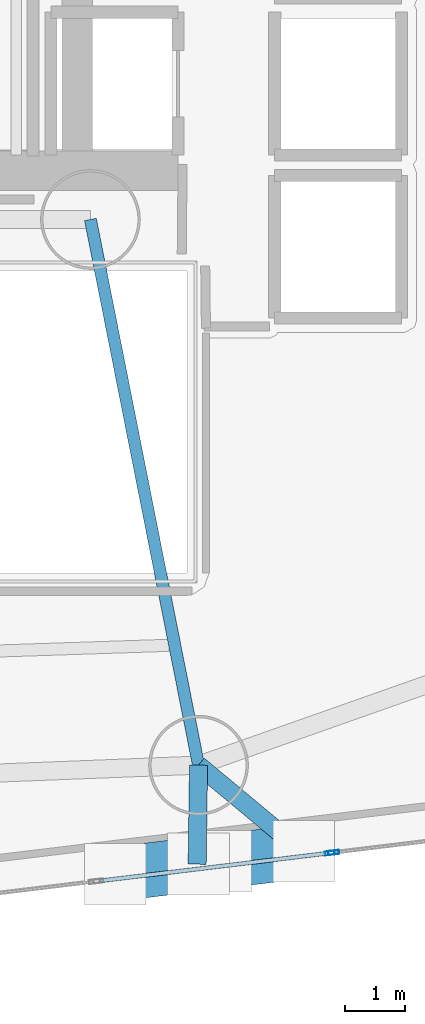
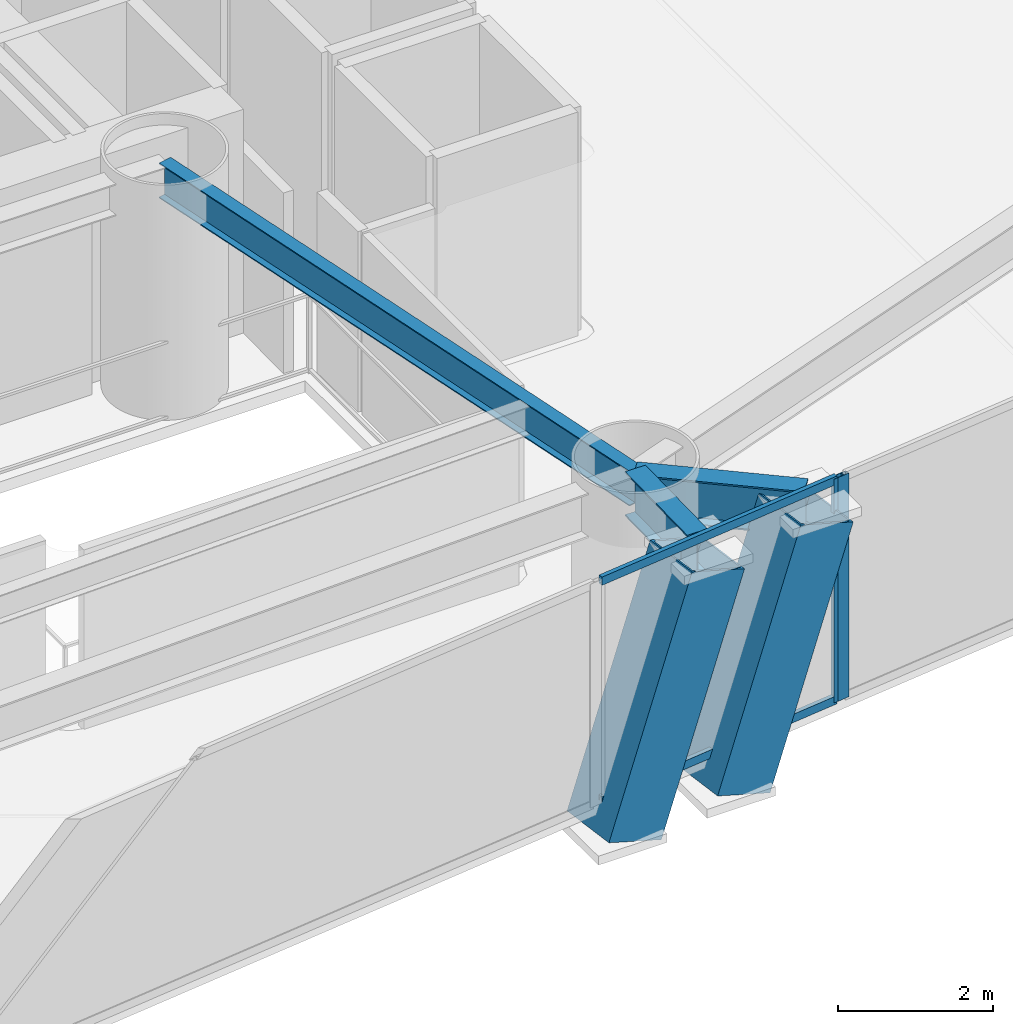
# One storey, part 6 of 24: 6 members, 3 beams, 2 elements without a shape of their own.
"""IFC4 building model written with IfcOpenShell, lengths in metres."""

from ifc_helpers import new_model, si_unit, direction, frame, origin, origin_2d, place, context, subcontext, project, spatial, hollow_rectangle, i_section, extrude, material, layer, layer_set, material_profile, profile_set, type_object, element, aggregate, save


model = new_model("IFC4")

# Units and contexts
model_context = context("Model", 3, precision=1e-05, world=origin(), true_north=direction((0.0, 1.0)))
body_context = subcontext(model_context, "Body", "Model", "MODEL_VIEW")
ifc_project = project(units=[si_unit("LENGTHUNIT", "METRE"), si_unit("AREAUNIT", "SQUARE_METRE"), si_unit("VOLUMEUNIT", "CUBIC_METRE"), si_unit("PLANEANGLEUNIT", "RADIAN"), si_unit("MASSUNIT", "GRAM", prefix="KILO")], contexts=[model_context])

# Site, building, storey
site_placement = place(None, origin())
site = spatial("IfcSite", under=ifc_project, at=site_placement, CompositionType="ELEMENT")
building_placement = place(site_placement, origin())
building = spatial("IfcBuilding", under=site, at=building_placement, Name="Qianvela Tower", CompositionType="ELEMENT")
storey_placement = place(building_placement, frame((0.0, 0.0, 71.0)))
storey = spatial("IfcBuildingStorey", under=building, at=storey_placement, Name="L17", CompositionType="ELEMENT", Elevation=71.0)

# Beams
ifc_material_1 = material(Name="Steel Q355B", Category="steel")
ifc_material_profile_1 = material_profile(ifc_material_1, i_section(OverallWidth=0.199951171875, OverallDepth=0.550048828125, WebThickness=0.010009765625, FlangeThickness=0.01611328125, at=origin_2d()), Name="HN550x200x10x16")
ifc_profile_set_1 = profile_set([ifc_material_profile_1], Name="Steel Q355B")
beam_type_1 = type_object("IfcBeamType", Name="BM-HN550-GIRD", PredefinedType="BEAM", material=ifc_profile_set_1)
beam_1_placement = place(storey_placement, frame((38.39990234375, 23.85009765625, 3.242919921875), z_axis=(0.194325825688, -0.980937038485, 0.0), x_axis=(0.980937038485, 0.194325825688, 0.0)))
element("IfcBeam", 1, at=beam_1_placement, inside=storey, type_object=beam_type_1, Name="L17 Radial Primary Floor Girder 6", PredefinedType="BEAM", context=body_context, shape_type="SweptSolid", body=[
    extrude(i_section(OverallWidth=0.199951171875, OverallDepth=0.550048828125, WebThickness=0.010009765625, FlangeThickness=0.01611328125, at=origin_2d()), origin(), (0.0, 0.0, 1.0), 9.20654296875),
])
ifc_material_2 = material(Name="Steel Q355B", Category="steel")
ifc_material_profile_2 = material_profile(ifc_material_2, i_section(OverallWidth=0.300048828125, OverallDepth=0.699951171875, WebThickness=0.012939453125, FlangeThickness=0.02392578125, at=origin_2d()), Name="HN700x300x13x24")
ifc_profile_set_2 = profile_set([ifc_material_profile_2], Name="Steel Q355B")
beam_type_2 = type_object("IfcBeamType", Name="BM-HN700-SPAND", PredefinedType="SPANDREL", material=ifc_profile_set_2)
beam_2_placement = place(storey_placement, frame((40.18896484375, 14.819091796875, 3.16796875), z_axis=(-0.013999223797, -0.999902006065, 0.0), x_axis=(0.999902006065, -0.013999223797, 0.0)))
element("IfcBeam", 2, at=beam_2_placement, inside=storey, type_object=beam_type_2, Name="L17 Mega-Brace Column Tie Bracket F3-1", PredefinedType="SPANDREL", context=body_context, shape_type="SweptSolid", body=[
    extrude(i_section(OverallWidth=0.300048828125, OverallDepth=0.699951171875, WebThickness=0.012939453125, FlangeThickness=0.02392578125, at=origin_2d()), origin(), (0.0, 0.0, 1.0), 1.639404296875),
])
beam_3_placement = place(storey_placement, frame((40.18896484375, 14.819091796875, 3.16796875), z_axis=(0.768803370836, -0.639485243764, 0.0), x_axis=(0.639485243764, 0.768803370836, 0.0)))
element("IfcBeam", 3, at=beam_3_placement, inside=storey, type_object=beam_type_2, Name="L17 Mega-Brace Column Tie Bracket F3-2", PredefinedType="SPANDREL", context=body_context, shape_type="SweptSolid", body=[
    extrude(i_section(OverallWidth=0.300048828125, OverallDepth=0.699951171875, WebThickness=0.012939453125, FlangeThickness=0.02392578125, at=origin_2d()), origin(), (0.0, 0.0, 1.0), 2.2333984375),
])

# Curtain wall, members
ifc_material_3 = material(Name="Anodised Architectural Aluminium and Insulated Spandrel Panel", Category="aluminium")
ifc_layer_1 = layer(ifc_material_3, 0.179931640625)
ifc_layer_set_1 = layer_set([ifc_layer_1], Name="Anodised Architectural Aluminium and Insulated Spandrel Panel")
curtain_wall_type_1 = type_object("IfcCurtainWallType", Name="CW-BRACEBAY", PredefinedType="USERDEFINED", material=ifc_layer_set_1)
curtain_wall_1_placement = place(storey_placement, origin())
curtain_wall_1 = element("IfcCurtainWall", 4, at=curtain_wall_1_placement, inside=storey, type_object=curtain_wall_type_1, Name="L17 CW-BRACEBAY Curtain Wall 06B", ObjectType="CURTAIN_WALL_SYSTEM", PredefinedType="USERDEFINED")
ifc_material_4 = material(Name="Anodised Architectural Aluminium 6063-T6", Category="aluminium")
ifc_material_profile_3 = material_profile(ifc_material_4, hollow_rectangle(XDim=0.06494140625, YDim=0.159912109375, WallThickness=0.0048828125, at=origin_2d()), Name="ALU-MULL-65x160")
ifc_profile_set_3 = profile_set([ifc_material_profile_3], Name="Anodised Architectural Aluminium 6063-T6")
member_type_1 = type_object("IfcMemberType", Name="CW-BRACEBAY-MULL", PredefinedType="MULLION", material=ifc_profile_set_3)
member_1_placement = place(storey_placement, frame((42.361083984375, 13.365478515625, 0.0), z_axis=(0.0, 0.0, 1.0), x_axis=(-0.120382410751, 0.992727593644, 0.0)))
member_1 = element("IfcMember", 5, at=member_1_placement, type_object=member_type_1, Name="CW-9 mullion 2", PredefinedType="MULLION", context=body_context, shape_type="SweptSolid", body=[
    extrude(hollow_rectangle(XDim=0.06494140625, YDim=0.159912109375, WallThickness=0.0048828125, at=origin_2d()), origin(), (0.0, 0.0, 1.0), 3.52001953125),
])
ifc_material_5 = material(Name="Anodised Architectural Aluminium 6063-T6", Category="aluminium")
ifc_material_profile_4 = material_profile(ifc_material_5, hollow_rectangle(XDim=0.06494140625, YDim=0.1298828125, WallThickness=0.00439453125, at=origin_2d()), Name="ALU-TRAN-65x130")
ifc_profile_set_4 = profile_set([ifc_material_profile_4], Name="Anodised Architectural Aluminium 6063-T6")
member_type_2 = type_object("IfcMemberType", Name="CW-BRACEBAY-TRAN", PredefinedType="USERDEFINED", material=ifc_profile_set_4)
member_2_placement = place(storey_placement, frame((38.56640625, 12.9052734375, 0.032470703125), z_axis=(0.992726084975, 0.120394851263, 0.0), x_axis=(-0.120394851263, 0.992726084975, 0.0)))
member_2 = element("IfcMember", 6, at=member_2_placement, type_object=member_type_2, Name="CW-9 transom 1.1", ObjectType="TRANSOM", PredefinedType="USERDEFINED", context=body_context, shape_type="SweptSolid", body=[
    extrude(hollow_rectangle(XDim=0.06494140625, YDim=0.1298828125, WallThickness=0.00439453125, at=origin_2d()), origin(), (0.0, 0.0, 1.0), 3.7900390625),
])
member_3_placement = place(storey_placement, frame((38.56640625, 12.9052734375, 3.487548828125), z_axis=(0.992726084975, 0.120394851263, 0.0), x_axis=(-0.120394851263, 0.992726084975, 0.0)))
member_3 = element("IfcMember", 7, at=member_3_placement, type_object=member_type_2, Name="CW-9 transom 1.2", ObjectType="TRANSOM", PredefinedType="USERDEFINED", context=body_context, shape_type="SweptSolid", body=[
    extrude(hollow_rectangle(XDim=0.06494140625, YDim=0.1298828125, WallThickness=0.00439453125, at=origin_2d()), origin(), (0.0, 0.0, 1.0), 3.7900390625),
])
aggregate(curtain_wall_1, [member_1, member_2, member_3])

# Curtain wall, member
ifc_material_6 = material(Name="Anodised Architectural Aluminium and Low-E Glass", Category="aluminium")
ifc_layer_2 = layer(ifc_material_6, 0.179931640625)
ifc_layer_set_2 = layer_set([ifc_layer_2], Name="Anodised Architectural Aluminium and Low-E Glass")
curtain_wall_type_2 = type_object("IfcCurtainWallType", Name="CW-COLIV-Z12", PredefinedType="USERDEFINED", material=ifc_layer_set_2)
curtain_wall_2_placement = place(storey_placement, origin())
curtain_wall_2 = element("IfcCurtainWall", 8, at=curtain_wall_2_placement, inside=storey, type_object=curtain_wall_type_2, Name="L17 CW-COLIV-Z12 Curtain Wall 06C", ObjectType="CURTAIN_WALL_SYSTEM", PredefinedType="USERDEFINED")
ifc_material_7 = material(Name="Anodised Architectural Aluminium 6063-T6", Category="aluminium")
ifc_material_profile_5 = material_profile(ifc_material_7, hollow_rectangle(XDim=0.070068359375, YDim=0.179931640625, WallThickness=0.0048828125, at=origin_2d()), Name="ALU-MULL-70x180")
ifc_profile_set_5 = profile_set([ifc_material_profile_5], Name="Anodised Architectural Aluminium 6063-T6")
member_type_3 = type_object("IfcMemberType", Name="CW-COLIV-Z12-MULL", PredefinedType="MULLION", material=ifc_profile_set_5)
member_4_placement = place(storey_placement, frame((42.427978515625, 13.37353515625, 0.0), z_axis=(0.0, 0.0, 1.0), x_axis=(-0.120360451304, 0.992730256294, 0.0)))
member_4 = element("IfcMember", 9, at=member_4_placement, type_object=member_type_3, Name="CW-3 mullion 1", PredefinedType="MULLION", context=body_context, shape_type="SweptSolid", body=[
    extrude(hollow_rectangle(XDim=0.070068359375, YDim=0.179931640625, WallThickness=0.0048828125, at=origin_2d()), origin(), (0.0, 0.0, 1.0), 3.52001953125),
])
aggregate(curtain_wall_2, [member_4])

# Members
ifc_material_8 = material(Name="Steel Q420GJC", Category="steel")
ifc_material_profile_6 = material_profile(ifc_material_8, hollow_rectangle(XDim=0.89990234375, YDim=0.89990234375, WallThickness=0.035888671875, at=origin_2d()), Name="MBOX-900x900x36")
ifc_profile_set_6 = profile_set([ifc_material_profile_6], Name="Steel Q420GJC")
member_type_4 = type_object("IfcMemberType", Name="MBR-MBRACE-900", PredefinedType="BRACE", material=ifc_profile_set_6)
member_5_placement = place(storey_placement, frame((38.835205078125, 13.0185546875, -0.531982421875), z_axis=(0.338170920609, 0.041007334163, 0.940190846052), x_axis=(-0.120380316866, 0.992727847555, 0.0)))
element("IfcMember", 10, at=member_5_placement, inside=storey, type_object=member_type_4, Name="L17 Tier 3 Exterior Mega-Brace F3A", PredefinedType="BRACE", context=body_context, shape_type="SweptSolid", body=[
    extrude(hollow_rectangle(XDim=0.89990234375, YDim=0.89990234375, WallThickness=0.035888671875, at=origin_2d()), origin(), (0.0, 0.0, 1.0), 3.935302734375),
])
member_6_placement = place(storey_placement, frame((40.57470703125, 13.2294921875, -0.531982421875), z_axis=(0.338280800993, 0.041005613324, 0.940151391721), x_axis=(-0.120336804384, 0.992733123005, 0.0)))
element("IfcMember", 11, at=member_6_placement, inside=storey, type_object=member_type_4, Name="L17 Tier 3 Exterior Mega-Brace F3B", PredefinedType="BRACE", context=body_context, shape_type="SweptSolid", body=[
    extrude(hollow_rectangle(XDim=0.89990234375, YDim=0.89990234375, WallThickness=0.035888671875, at=origin_2d()), origin(), (0.0, 0.0, 1.0), 3.935546875),
])

save(model, "model.ifc")
